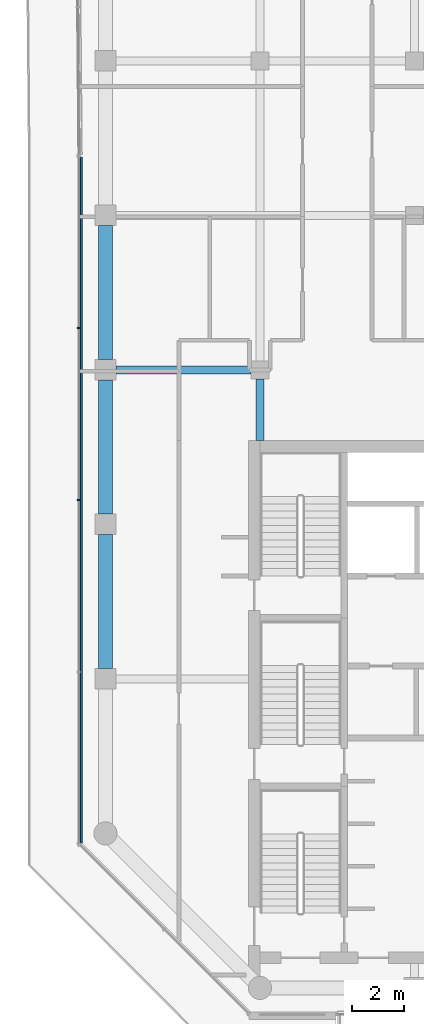
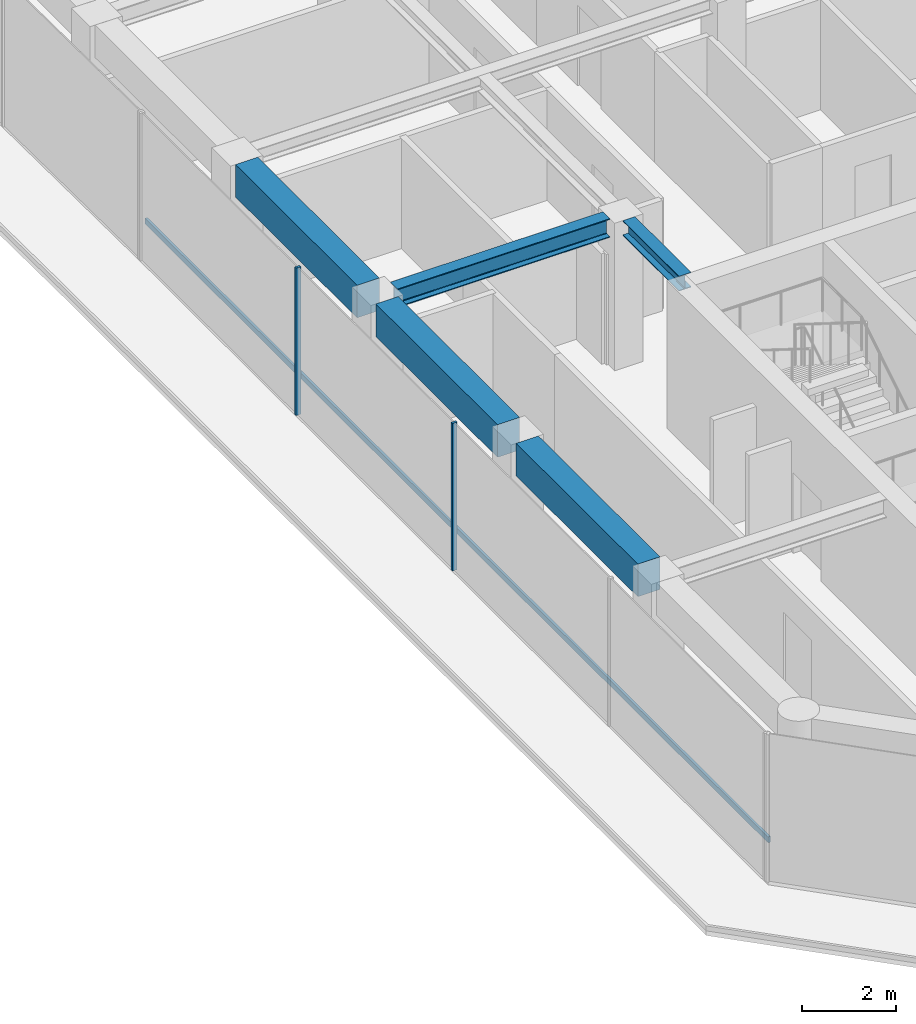
# One storey, part 4 of 19: 5 beams, 3 members, 1 element without a shape of its own.
"""IFC4 building model written with IfcOpenShell, lengths in metres."""

from ifc_helpers import new_model, si_unit, direction, frame, origin, origin_2d, place, context, subcontext, project, spatial, rectangle, i_section, extrude, material, layer, layer_set, material_profile, profile_set, type_object, element, aggregate, save


model = new_model("IFC4")

# Units and contexts
model_context = context("Model", 3, precision=1e-05, world=origin(), true_north=direction((0.0, 1.0)))
body_context = subcontext(model_context, "Body", "Model", "MODEL_VIEW")
ifc_project = project(units=[si_unit("LENGTHUNIT", "METRE"), si_unit("AREAUNIT", "SQUARE_METRE"), si_unit("VOLUMEUNIT", "CUBIC_METRE"), si_unit("PLANEANGLEUNIT", "RADIAN"), si_unit("MASSUNIT", "GRAM", prefix="KILO")], contexts=[model_context])

# Site, building, storey
site_placement = place(None, origin())
site = spatial("IfcSite", under=ifc_project, at=site_placement, CompositionType="ELEMENT")
building_placement = place(site_placement, origin())
building = spatial("IfcBuilding", under=site, at=building_placement, Name="Welwitschia Terrace Campus", CompositionType="ELEMENT")
storey_placement = place(building_placement, frame((0.0, 0.0, 226.39990234375)))
storey = spatial("IfcBuildingStorey", under=building, at=storey_placement, Name="L50", CompositionType="ELEMENT", Elevation=226.39990234375)

# Beam
ifc_material_1 = material(Name="Steel S355", Category="steel")
ifc_material_profile_1 = material_profile(ifc_material_1, i_section(OverallWidth=0.300048828125, OverallDepth=0.389892578125, WebThickness=0.010986328125, FlangeThickness=0.01904296875, FilletRadius=0.027099609375, at=origin_2d()))
ifc_profile_set_1 = profile_set([ifc_material_profile_1], Name="Steel S355")
beam_type_1 = type_object("IfcBeamType", Name="Interior girder HE 400 A", PredefinedType="BEAM", material=ifc_profile_set_1)
beam_1_placement = place(storey_placement, frame((6.0, 25.2509765625, 3.655029296875), z_axis=(0.0, 1.0, 0.0), x_axis=(-1.0, 0.0, 0.0)))
element("IfcBeam", 1, at=beam_1_placement, inside=storey, type_object=beam_type_1, Name="Girder GB5", PredefinedType="BEAM", context=body_context, shape_type="SweptSolid", body=[
    extrude(i_section(OverallWidth=0.300048828125, OverallDepth=0.389892578125, WebThickness=0.010986328125, FlangeThickness=0.01904296875, FilletRadius=0.027099609375, at=origin_2d()), origin(), (0.0, 0.0, 1.0), 2.3984375),
])

# Curtain wall, members
ifc_material_2 = material(Name="Bronze anodised aluminium", Category="aluminium")
ifc_layer = layer(ifc_material_2, 0.1201171875)
ifc_layer_set = layer_set([ifc_layer], Name="Bronze anodised aluminium")
curtain_wall_type = type_object("IfcCurtainWallType", Name="Curtain wall CW2 tower 6000", PredefinedType="NOTDEFINED", material=ifc_layer_set)
curtain_wall_placement = place(storey_placement, origin())
curtain_wall = element("IfcCurtainWall", 2, at=curtain_wall_placement, inside=storey, type_object=curtain_wall_type, Name="CW L50.1.0", PredefinedType="NOTDEFINED")
ifc_material_3 = material(Name="Bronze anodised aluminium", Category="aluminium")
ifc_material_profile_2 = material_profile(ifc_material_3, rectangle(XDim=0.1201171875, YDim=0.06005859375, at=origin_2d()))
ifc_profile_set_2 = profile_set([ifc_material_profile_2], Name="Bronze anodised aluminium")
member_type_1 = type_object("IfcMemberType", Name="Mullion 60x120", PredefinedType="MULLION", material=ifc_profile_set_2)
member_1_placement = place(storey_placement, frame((-1.030029296875, 29.63525390625, 0.0), z_axis=(0.0, 0.0, 1.0), x_axis=(1.0, 0.0, 0.0)))
member_1 = element("IfcMember", 3, at=member_1_placement, type_object=member_type_1, Name="Mullion L50.1.0.1", PredefinedType="MULLION", context=body_context, shape_type="SweptSolid", body=[
    extrude(rectangle(XDim=0.1201171875, YDim=0.06005859375, at=origin_2d()), origin(), (0.0, 0.0, 1.0), 3.85009765625),
])
member_2_placement = place(storey_placement, frame((-1.030029296875, 22.947998046875, 0.0), z_axis=(0.0, 0.0, 1.0), x_axis=(1.0, 0.0, 0.0)))
member_2 = element("IfcMember", 4, at=member_2_placement, type_object=member_type_1, Name="Mullion L50.1.0.2", PredefinedType="MULLION", context=body_context, shape_type="SweptSolid", body=[
    extrude(rectangle(XDim=0.1201171875, YDim=0.06005859375, at=origin_2d()), origin(), (0.0, 0.0, 1.0), 3.85009765625),
])

# Beams
ifc_material_4 = material(Name="Steel S355", Category="steel")
ifc_material_profile_3 = material_profile(ifc_material_4, i_section(OverallWidth=0.300048828125, OverallDepth=0.489990234375, WebThickness=0.011962890625, FlangeThickness=0.02294921875, FilletRadius=0.027099609375, at=origin_2d()))
ifc_profile_set_3 = profile_set([ifc_material_profile_3], Name="Steel S355")
beam_type_2 = type_object("IfcBeamType", Name="Primary beam HE 500 A", PredefinedType="BEAM", material=ifc_profile_set_3)
beam_2_placement = place(storey_placement, frame((0.400390625, 28.0, 3.60498046875), z_axis=(1.0, 0.0, 0.0), x_axis=(0.0, 1.0, 0.0)))
element("IfcBeam", 5, at=beam_2_placement, inside=storey, type_object=beam_type_2, Name="Primary beam PB5", PredefinedType="BEAM", context=body_context, shape_type="SweptSolid", body=[
    extrude(i_section(OverallWidth=0.300048828125, OverallDepth=0.489990234375, WebThickness=0.011962890625, FlangeThickness=0.02294921875, FilletRadius=0.027099609375, at=origin_2d()), origin(), (0.0, 0.0, 1.0), 5.2490234375),
])
ifc_material_5 = material(Name="Concrete C50/60", Category="concrete")
ifc_material_profile_4 = material_profile(ifc_material_5, rectangle(XDim=0.550048828125, YDim=0.85009765625, at=origin_2d()))
ifc_profile_set_4 = profile_set([ifc_material_profile_4], Name="Concrete C50/60")
beam_type_3 = type_object("IfcBeamType", Name="Ring spandrel 550x850", PredefinedType="SPANDREL", material=ifc_profile_set_4)
for number, where, z_axis, x_axis, name in (
    (6, (0.0, 33.599609375, 3.425048828125), (0.0, -1.0, 0.0), (1.0, 0.0, 0.0), "Spandrel SP3"),
    (7, (0.0, 27.599609375, 3.425048828125), (0.0, -1.0, 0.0), (1.0, 0.0, 0.0), "Spandrel SP3"),
    (8, (0.0, 21.599609375, 3.425048828125), (0.0, -1.0, 0.0), (1.0, 0.0, 0.0), "Spandrel SP3"),
):
    element("IfcBeam", number, at=place(storey_placement, frame(where, z_axis=z_axis, x_axis=x_axis)), inside=storey, type_object=beam_type_3, Name=name, PredefinedType="SPANDREL", context=body_context, shape_type="SweptSolid", body=[
        extrude(rectangle(XDim=0.550048828125, YDim=0.85009765625, at=origin_2d()), origin(), (0.0, 0.0, 1.0), 5.19921875),
    ])

# Member
ifc_material_6 = material(Name="Bronze anodised aluminium", Category="aluminium")
ifc_material_profile_5 = material_profile(ifc_material_6, rectangle(XDim=0.06005859375, YDim=0.14990234375, at=origin_2d()))
ifc_profile_set_5 = profile_set([ifc_material_profile_5], Name="Bronze anodised aluminium")
member_type_2 = type_object("IfcMemberType", Name="Transom 60x150", PredefinedType="USERDEFINED", material=ifc_profile_set_5)
member_3_placement = place(storey_placement, frame((-0.93994140625, 36.2626953125, 1.0), z_axis=(0.0, -1.0, 0.0), x_axis=(1.0, 0.0, 0.0)))
member_3 = element("IfcMember", 9, at=member_3_placement, type_object=member_type_2, Name="Transom L50.1.0", ObjectType="TRANSOM", PredefinedType="USERDEFINED", context=body_context, shape_type="SweptSolid", body=[
    extrude(rectangle(XDim=0.06005859375, YDim=0.14990234375, at=origin_2d()), origin(), (0.0, 0.0, 1.0), 26.62939453125),
])

aggregate(curtain_wall, [member_1, member_2, member_3])

save(model, "model.ifc")
